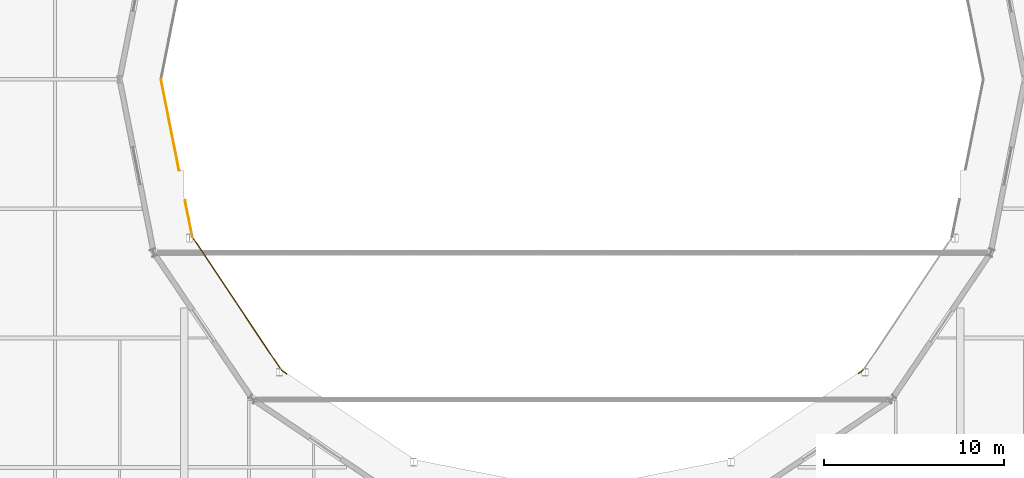
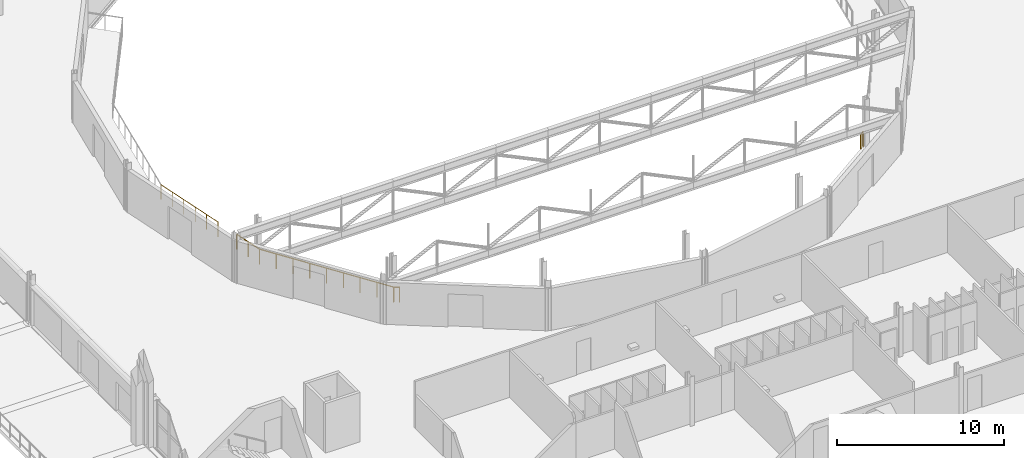
# One storey, part 107 of 143: 5 railings.
"""IFC4 building model written with IfcOpenShell, lengths in metres."""

from ifc_helpers import new_model, si_unit, direction, frame, origin, origin_2d, place, context, subcontext, project, spatial, circle, extrude, material, type_object, element, save


model = new_model("IFC4")

# Units and contexts
model_context = context("Model", 3, precision=1e-05, world=origin(), true_north=direction((0.0, 1.0)))
body_context = subcontext(model_context, "Body", "Model", "MODEL_VIEW")
ifc_project = project(units=[si_unit("LENGTHUNIT", "METRE"), si_unit("AREAUNIT", "SQUARE_METRE"), si_unit("VOLUMEUNIT", "CUBIC_METRE"), si_unit("PLANEANGLEUNIT", "RADIAN"), si_unit("MASSUNIT", "GRAM", prefix="KILO")], contexts=[model_context])

# Site, building, storey
site_placement = place(None, origin())
site = spatial("IfcSite", under=ifc_project, at=site_placement, CompositionType="ELEMENT")
building_placement = place(site_placement, origin())
building = spatial("IfcBuilding", under=site, at=building_placement, Name="Kupolbacken Congress Centre", CompositionType="ELEMENT")
storey_placement = place(building_placement, frame((0.0, 0.0, 7.199951171875)))
storey = spatial("IfcBuildingStorey", under=building, at=storey_placement, Name="L02", CompositionType="ELEMENT", Elevation=7.199951171875)

# Railings
ifc_material = material(Name="Steel S235", Category="steel")
railing_type = type_object("IfcRailingType", Name="RL1 guard 1100 steel balustrade", PredefinedType="GUARDRAIL", material=ifc_material)
railing_1_placement = place(storey_placement, frame((20.30419921875, 86.39990234375, 0.0)))
element("IfcRailing", 1, at=railing_1_placement, inside=storey, type_object=railing_type, Name="PD/L02/ringguard/1800/1", PredefinedType="GUARDRAIL", context=body_context, shape_type="SweptSolid", body=[
    extrude(circle(Radius=0.02392578125, at=origin_2d()), frame((0.0, 0.0, 1.076171875), z_axis=(0.195107848921, -0.980781793922, 0.0), x_axis=(0.980781793922, 0.195107848921, 0.0)), (0.0, 0.0, 1.0), 5.169189453125),
    extrude(circle(Radius=0.02099609375, at=origin_2d()), origin(), (0.0, 0.0, 1.0), 1.052001953125),
    extrude(circle(Radius=0.02099609375, at=origin_2d()), frame((0.20166015625, -1.013916015625, 0.0)), (0.0, 0.0, 1.0), 1.052001953125),
    extrude(circle(Radius=0.02099609375, at=origin_2d()), frame((0.4033203125, -2.02783203125, 0.0)), (0.0, 0.0, 1.0), 1.052001953125),
    extrude(circle(Radius=0.02099609375, at=origin_2d()), frame((0.605224609375, -3.0419921875, 0.0)), (0.0, 0.0, 1.0), 1.052001953125),
    extrude(circle(Radius=0.02099609375, at=origin_2d()), frame((0.806884765625, -4.055908203125, 0.0)), (0.0, 0.0, 1.0), 1.052001953125),
    extrude(circle(Radius=0.02099609375, at=origin_2d()), frame((1.008544921875, -5.06982421875, 0.0)), (0.0, 0.0, 1.0), 1.052001953125),
])
railing_2_placement = place(storey_placement, frame((21.645751953125, 79.65625, 0.0)))
element("IfcRailing", 2, at=railing_2_placement, inside=storey, type_object=railing_type, Name="PD/L02/ringguard/1800/2", PredefinedType="GUARDRAIL", context=body_context, shape_type="SweptSolid", body=[
    extrude(circle(Radius=0.02392578125, at=origin_2d()), frame((0.0, 0.0, 1.076171875), z_axis=(0.195066395446, -0.980790039391, 0.0), x_axis=(0.980790039391, 0.195066395446, 0.0)), (0.0, 0.0, 1.0), 2.0576171875),
    extrude(circle(Radius=0.02099609375, at=origin_2d()), origin(), (0.0, 0.0, 1.0), 1.052001953125),
    extrude(circle(Radius=0.02099609375, at=origin_2d()), frame((0.20068359375, -1.009033203125, 0.0)), (0.0, 0.0, 1.0), 1.052001953125),
    extrude(circle(Radius=0.02099609375, at=origin_2d()), frame((0.4013671875, -2.01806640625, 0.0)), (0.0, 0.0, 1.0), 1.052001953125),
])
railing_3_placement = place(storey_placement, frame((22.047119140625, 77.63818359375, 0.0)))
element("IfcRailing", 3, at=railing_3_placement, inside=storey, type_object=railing_type, Name="PD/L02/ringguard/2025", PredefinedType="GUARDRAIL", context=body_context, shape_type="SweptSolid", body=[
    extrude(circle(Radius=0.02392578125, at=origin_2d()), frame((0.0, 0.0, 1.076171875), z_axis=(0.555563902596, -0.831473842121, 0.0), x_axis=(0.831473842121, 0.555563902596, 0.0)), (0.0, 0.0, 1.0), 8.93359375),
    extrude(circle(Radius=0.02099609375, at=origin_2d()), origin(), (0.0, 0.0, 1.0), 1.052001953125),
    extrude(circle(Radius=0.02099609375, at=origin_2d()), frame((0.620361328125, -0.928466796875, 0.0)), (0.0, 0.0, 1.0), 1.052001953125),
    extrude(circle(Radius=0.02099609375, at=origin_2d()), frame((1.24072265625, -1.85693359375, 0.0)), (0.0, 0.0, 1.0), 1.052001953125),
    extrude(circle(Radius=0.02099609375, at=origin_2d()), frame((1.861083984375, -2.785400390625, 0.0)), (0.0, 0.0, 1.0), 1.052001953125),
    extrude(circle(Radius=0.02099609375, at=origin_2d()), frame((2.4814453125, -3.7138671875, 0.0)), (0.0, 0.0, 1.0), 1.052001953125),
    extrude(circle(Radius=0.02099609375, at=origin_2d()), frame((3.10205078125, -4.642578125, 0.0)), (0.0, 0.0, 1.0), 1.052001953125),
    extrude(circle(Radius=0.02099609375, at=origin_2d()), frame((3.722412109375, -5.571044921875, 0.0)), (0.0, 0.0, 1.0), 1.052001953125),
    extrude(circle(Radius=0.02099609375, at=origin_2d()), frame((4.3427734375, -6.49951171875, 0.0)), (0.0, 0.0, 1.0), 1.052001953125),
    extrude(circle(Radius=0.02099609375, at=origin_2d()), frame((4.963134765625, -7.427978515625, 0.0)), (0.0, 0.0, 1.0), 1.052001953125),
])
railing_4_placement = place(storey_placement, frame((27.01025390625, 70.210205078125, 0.0)))
element("IfcRailing", 4, at=railing_4_placement, inside=storey, type_object=railing_type, Name="PD/L02/ringguard/2250", PredefinedType="GUARDRAIL", context=body_context, shape_type="SweptSolid", body=[
    extrude(circle(Radius=0.02392578125, at=origin_2d()), frame((0.0, 0.0, 1.076171875), z_axis=(0.831729457591, -0.555181150054, 0.0), x_axis=(0.555181150054, 0.831729457591, 0.0)), (0.0, 0.0, 1.0), 0.351318359375),
    extrude(circle(Radius=0.02099609375, at=origin_2d()), origin(), (0.0, 0.0, 1.0), 1.052001953125),
    extrude(circle(Radius=0.02099609375, at=origin_2d()), frame((0.292236328125, -0.195068359375, 0.0)), (0.0, 0.0, 1.0), 1.052001953125),
])
railing_5_placement = place(storey_placement, frame((59.139404296875, 70.04296875, 0.0)))
element("IfcRailing", 5, at=railing_5_placement, inside=storey, type_object=railing_type, Name="PD/L02/ringguard/2925", PredefinedType="GUARDRAIL", context=body_context, shape_type="SweptSolid", body=[
    extrude(circle(Radius=0.02392578125, at=origin_2d()), frame((0.0, 0.0, 1.076171875), z_axis=(0.831425808607, 0.555635784289, 0.0), x_axis=(-0.555635784289, 0.831425808607, 0.0)), (0.0, 0.0, 1.0), 0.301025390625),
    extrude(circle(Radius=0.02099609375, at=origin_2d()), origin(), (0.0, 0.0, 1.0), 1.052001953125),
    extrude(circle(Radius=0.02099609375, at=origin_2d()), frame((0.250244140625, 0.167236328125, 0.0)), (0.0, 0.0, 1.0), 1.052001953125),
])

save(model, "model.ifc")
